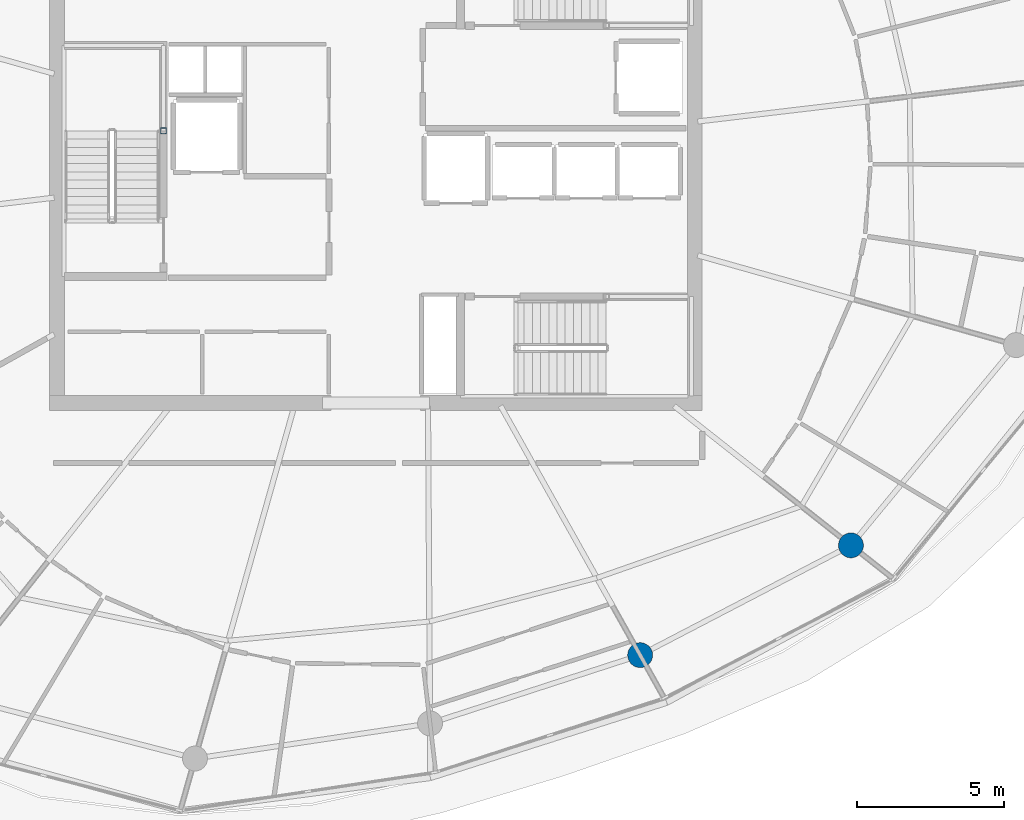
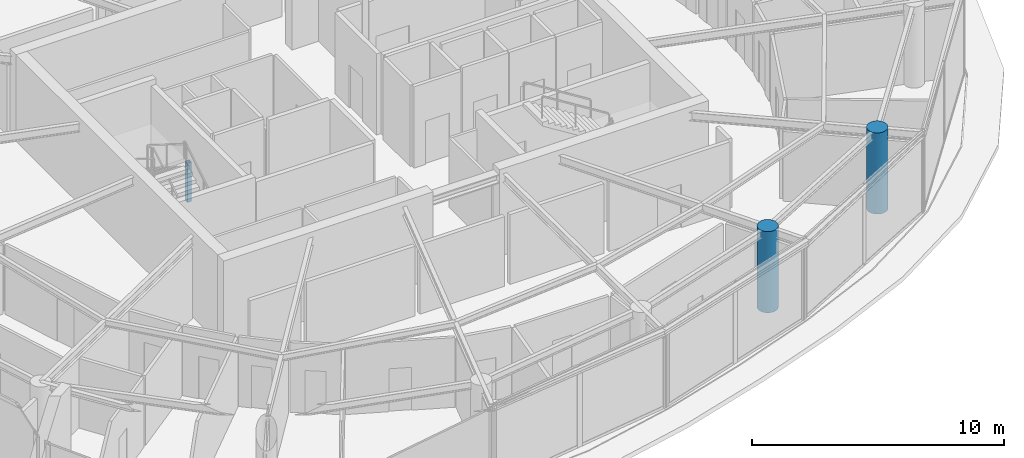
# One storey, part 2 of 16: 3 columns.
"""IFC4 building model written with IfcOpenShell, lengths in metres."""

from ifc_helpers import new_model, si_unit, direction, frame, origin, origin_2d, place, context, subcontext, project, spatial, hollow_rectangle, circle, extrude, material, material_profile, profile_set, type_object, element, save


model = new_model("IFC4")

# Units and contexts
model_context = context("Model", 3, precision=1e-05, world=origin(), true_north=direction((0.0, 1.0)))
body_context = subcontext(model_context, "Body", "Model", "MODEL_VIEW")
ifc_project = project(units=[si_unit("LENGTHUNIT", "METRE"), si_unit("AREAUNIT", "SQUARE_METRE"), si_unit("VOLUMEUNIT", "CUBIC_METRE"), si_unit("PLANEANGLEUNIT", "RADIAN"), si_unit("MASSUNIT", "GRAM", prefix="KILO")], contexts=[model_context])

# Site, building, storey
site_placement = place(None, origin())
site = spatial("IfcSite", under=ifc_project, at=site_placement, CompositionType="ELEMENT")
building_placement = place(site_placement, origin())
building = spatial("IfcBuilding", under=site, at=building_placement, Name="Kazma Halo Residences", CompositionType="ELEMENT")
storey_placement = place(building_placement, frame((0.0, 0.0, 313.699951171875)))
storey = spatial("IfcBuildingStorey", under=building, at=storey_placement, Name="L79", CompositionType="ELEMENT", Elevation=313.699951171875)

# Columns
ifc_material_1 = material(Name="Steel S355", Category="steel")
ifc_material_profile_1 = material_profile(ifc_material_1, hollow_rectangle(XDim=0.199951171875, YDim=0.199951171875, WallThickness=0.010009765625, InnerFilletRadius=0.010009765625, OuterFilletRadius=0.02001953125, at=origin_2d()), Name="SHS200x200x10")
ifc_profile_set_1 = profile_set([ifc_material_profile_1], Name="Steel S355")
column_type_1 = type_object("IfcColumnType", Name="COL-LP-SHS200", PredefinedType="COLUMN", material=ifc_profile_set_1)
column_placement = place(storey_placement, frame((41.179931640625, 43.030029296875, 0.0), z_axis=(0.0, 0.0, 1.0), x_axis=(1.0, 0.0, 0.0)))
element("IfcColumn", 1, at=column_placement, inside=storey, type_object=column_type_1, Name="L79 ST-01 landing pilaster 1", PredefinedType="COLUMN", context=body_context, shape_type="SweptSolid", body=[
    extrude(hollow_rectangle(XDim=0.199951171875, YDim=0.199951171875, WallThickness=0.010009765625, InnerFilletRadius=0.010009765625, OuterFilletRadius=0.02001953125, at=origin_2d()), origin(), (0.0, 0.0, 1.0), 1.89501953125),
])
ifc_material_2 = material(Name="Concrete C60/75", Category="concrete")
ifc_material_profile_2 = material_profile(ifc_material_2, circle(Radius=0.425048828125, at=origin_2d()), Name="CIRC850")
ifc_profile_set_2 = profile_set([ifc_material_profile_2], Name="Concrete C60/75")
column_type_2 = type_object("IfcColumnType", Name="COL-PERIM-850", PredefinedType="COLUMN", material=ifc_profile_set_2)
for number, where, z_axis, x_axis, name in (
    (2, (57.436767578125, 25.1494140625, 0.0), (0.0, 0.0, 1.0), (1.0, 0.0, 0.0), "L79 perimeter ring column P13"),
    (3, (64.626220703125, 28.89306640625, 0.0), (0.0, 0.0, 1.0), (1.0, 0.0, 0.0), "L79 perimeter ring column P14"),
):
    element("IfcColumn", number, at=place(storey_placement, frame(where, z_axis=z_axis, x_axis=x_axis)), inside=storey, type_object=column_type_2, Name=name, PredefinedType="COLUMN", context=body_context, shape_type="SweptSolid", body=[
        extrude(circle(Radius=0.425048828125, at=origin_2d()), origin(), (0.0, 0.0, 1.0), 3.93994140625),
    ])

save(model, "model.ifc")
